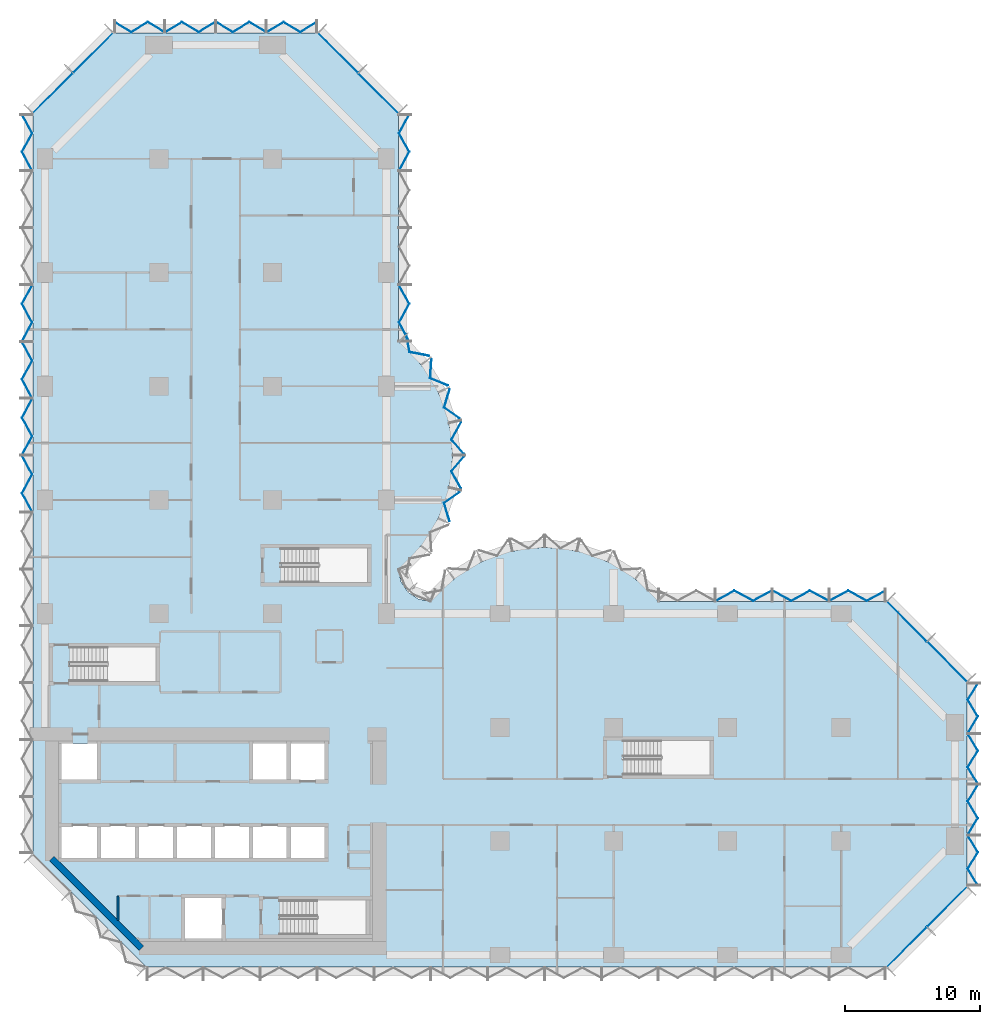
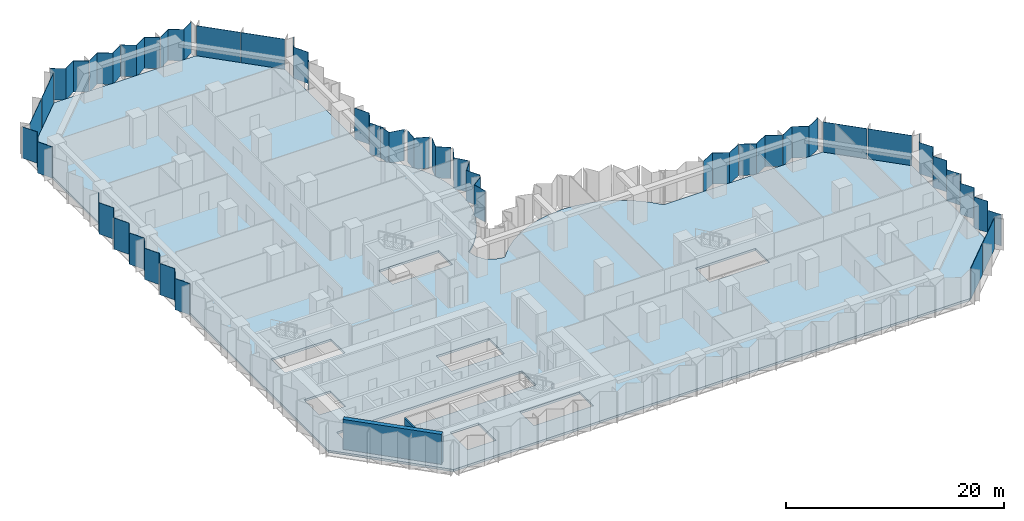
# One storey, part 6 of 15: 32 plates, 2 walls, 1 slab, 10 elements without a shape of their own.
"""IFC4 building model written with IfcOpenShell, lengths in metres."""

from ifc_helpers import new_model, si_unit, direction, frame, frame_2d, origin, place, context, subcontext, project, spatial, polyline, rectangle, outline, extrude, material, layer, layer_set, type_object, element, aggregate, save


model = new_model("IFC4")

# Units and contexts
model_context = context("Model", 3, precision=1e-05, world=origin(), true_north=direction((0.0, 1.0)))
body_context = subcontext(model_context, "Body", "Model", "MODEL_VIEW")
ifc_project = project(units=[si_unit("LENGTHUNIT", "METRE"), si_unit("AREAUNIT", "SQUARE_METRE"), si_unit("VOLUMEUNIT", "CUBIC_METRE"), si_unit("PLANEANGLEUNIT", "RADIAN"), si_unit("MASSUNIT", "GRAM", prefix="KILO")], contexts=[model_context])

# Site, building, storey
site_placement = place(None, origin())
site = spatial("IfcSite", under=ifc_project, at=site_placement, CompositionType="ELEMENT")
building_placement = place(site_placement, origin())
building = spatial("IfcBuilding", under=site, at=building_placement, Name="Brevane Broadcast Tower", CompositionType="ELEMENT")
storey_placement = place(building_placement, frame((0.0, 0.0, 50.89990234375)))
storey = spatial("IfcBuildingStorey", under=building, at=storey_placement, Name="L10", CompositionType="ELEMENT", Elevation=50.89990234375)

# Curtain wall, plates
ifc_material_1 = material(Name="Aluminium 6063-T6 bronze anodised", Category="aluminium")
curtain_wall_type = type_object("IfcCurtainWallType", Name="CW-1 curtain wall", PredefinedType="NOTDEFINED", material=ifc_material_1)
curtain_wall_1_placement = place(storey_placement, origin())
curtain_wall_1 = element("IfcCurtainWall", 1, at=curtain_wall_1_placement, inside=storey, type_object=curtain_wall_type, Name="CW-1 typical tilted unit L10 south-east chamfer", PredefinedType="NOTDEFINED")
ifc_material_2 = material(Name="Laminated glass bronze-tinted", Category="glass")
ifc_layer_1 = layer(ifc_material_2, 0.0400390625)
ifc_layer_set_1 = layer_set([ifc_layer_1], Name="CW tall glass panel 40")
plate_type = type_object("IfcPlateType", Name="CW tall glass panel 40", PredefinedType="CURTAIN_PANEL", material=ifc_layer_set_1)
plate_1_placement = place(storey_placement, frame((0.0, 0.0, -0.14990234375)))
plate_1 = element("IfcPlate", 2, at=plate_1_placement, type_object=plate_type, Name="CW-1 glass panel", PredefinedType="CURTAIN_PANEL", context=body_context, shape_type="SweptSolid", body=[
    extrude(outline(polyline([(62.14599609375, -0.896484375), (65.096435546875, 2.053955078125), (65.124755859375, 2.02587890625), (62.17431640625, -0.9248046875), (62.14599609375, -0.896484375)])), origin(), (0.0, 0.0, 1.0), 3.5),
])
plate_2_placement = place(storey_placement, frame((0.0, 0.0, -0.14990234375)))
plate_2 = element("IfcPlate", 3, at=plate_2_placement, type_object=plate_type, Name="CW-1 glass panel", PredefinedType="CURTAIN_PANEL", context=body_context, shape_type="SweptSolid", body=[
    extrude(outline(polyline([(65.14599609375, 2.103515625), (68.096435546875, 5.053955078125), (68.124755859375, 5.02587890625), (65.17431640625, 2.0751953125), (65.14599609375, 2.103515625)])), origin(), (0.0, 0.0, 1.0), 3.5),
])
aggregate(curtain_wall_1, [plate_1, plate_2])

curtain_wall_2_placement = place(storey_placement, origin())
curtain_wall_2 = element("IfcCurtainWall", 4, at=curtain_wall_2_placement, inside=storey, type_object=curtain_wall_type, Name="CW-1 typical tilted unit L10 east end", PredefinedType="NOTDEFINED")
plate_3_placement = place(storey_placement, frame((0.0, 0.0, -0.14990234375)))
plate_3 = element("IfcPlate", 5, at=plate_3_placement, type_object=plate_type, Name="CW-1 glass panel", PredefinedType="CURTAIN_PANEL", context=body_context, shape_type="SweptSolid", body=[
    extrude(outline(polyline([(68.87109375, 5.135009765625), (68.917724609375, 5.135009765625), (68.17333984375, 6.36181640625), (68.917724609375, 7.58837890625), (68.17333984375, 8.81494140625), (68.126708984375, 8.81494140625), (68.87109375, 7.58837890625), (68.126708984375, 6.36181640625), (68.87109375, 5.135009765625)])), origin(), (0.0, 0.0, 1.0), 3.5),
])
plate_4_placement = place(storey_placement, frame((0.0, 0.0, -0.14990234375)))
plate_4 = element("IfcPlate", 6, at=plate_4_placement, type_object=plate_type, Name="CW-1 glass panel", PredefinedType="CURTAIN_PANEL", context=body_context, shape_type="SweptSolid", body=[
    extrude(outline(polyline([(68.126708984375, 8.885009765625), (68.17333984375, 8.885009765625), (68.917724609375, 10.11181640625), (68.17333984375, 11.33837890625), (68.917724609375, 12.56494140625), (68.87109375, 12.56494140625), (68.126708984375, 11.33837890625), (68.87109375, 10.11181640625), (68.126708984375, 8.885009765625)])), origin(), (0.0, 0.0, 1.0), 3.5),
])
plate_5_placement = place(storey_placement, frame((0.0, 0.0, -0.14990234375)))
plate_5 = element("IfcPlate", 7, at=plate_5_placement, type_object=plate_type, Name="CW-1 glass panel", PredefinedType="CURTAIN_PANEL", context=body_context, shape_type="SweptSolid", body=[
    extrude(outline(polyline([(68.87109375, 12.635009765625), (68.917724609375, 12.635009765625), (68.17333984375, 13.86181640625), (68.917724609375, 15.08837890625), (68.17333984375, 16.31494140625), (68.126708984375, 16.31494140625), (68.87109375, 15.08837890625), (68.126708984375, 13.86181640625), (68.87109375, 12.635009765625)])), origin(), (0.0, 0.0, 1.0), 3.5),
])
plate_6_placement = place(storey_placement, frame((0.0, 0.0, -0.14990234375)))
plate_6 = element("IfcPlate", 8, at=plate_6_placement, type_object=plate_type, Name="CW-1 glass panel", PredefinedType="CURTAIN_PANEL", context=body_context, shape_type="SweptSolid", body=[
    extrude(outline(polyline([(68.126708984375, 16.385009765625), (68.17333984375, 16.385009765625), (68.917724609375, 17.61181640625), (68.17333984375, 18.83837890625), (68.917724609375, 20.06494140625), (68.87109375, 20.06494140625), (68.126708984375, 18.83837890625), (68.87109375, 17.61181640625), (68.126708984375, 16.385009765625)])), origin(), (0.0, 0.0, 1.0), 3.5),
])
aggregate(curtain_wall_2, [plate_3, plate_4, plate_5, plate_6])

curtain_wall_3_placement = place(storey_placement, origin())
curtain_wall_3 = element("IfcCurtainWall", 9, at=curtain_wall_3_placement, inside=storey, type_object=curtain_wall_type, Name="CW-1 typical tilted unit L10 north-east chamfer", PredefinedType="NOTDEFINED")
plate_7_placement = place(storey_placement, frame((0.0, 0.0, -0.14990234375)))
plate_7 = element("IfcPlate", 10, at=plate_7_placement, type_object=plate_type, Name="CW-1 glass panel", PredefinedType="CURTAIN_PANEL", context=body_context, shape_type="SweptSolid", body=[
    extrude(outline(polyline([(68.096435546875, 20.14599609375), (65.14599609375, 23.096435546875), (65.17431640625, 23.124755859375), (68.124755859375, 20.17431640625), (68.096435546875, 20.14599609375)])), origin(), (0.0, 0.0, 1.0), 3.5),
])
plate_8_placement = place(storey_placement, frame((0.0, 0.0, -0.14990234375)))
plate_8 = element("IfcPlate", 11, at=plate_8_placement, type_object=plate_type, Name="CW-1 glass panel", PredefinedType="CURTAIN_PANEL", context=body_context, shape_type="SweptSolid", body=[
    extrude(outline(polyline([(65.096435546875, 23.14599609375), (62.14599609375, 26.096435546875), (62.17431640625, 26.124755859375), (65.124755859375, 23.17431640625), (65.096435546875, 23.14599609375)])), origin(), (0.0, 0.0, 1.0), 3.5),
])
aggregate(curtain_wall_3, [plate_7, plate_8])

curtain_wall_4_placement = place(storey_placement, origin())
curtain_wall_4 = element("IfcCurtainWall", 12, at=curtain_wall_4_placement, inside=storey, type_object=curtain_wall_type, Name="CW-1 typical tilted unit L10 east arm north face", PredefinedType="NOTDEFINED")
plate_9_placement = place(storey_placement, frame((0.0, 0.0, -0.14990234375)))
plate_9 = element("IfcPlate", 13, at=plate_9_placement, type_object=plate_type, Name="CW-1 glass panel", PredefinedType="CURTAIN_PANEL", context=body_context, shape_type="SweptSolid", body=[
    extrude(outline(polyline([(62.06494140625, 26.87158203125), (62.06494140625, 26.9169921875), (60.688232421875, 26.172607421875), (59.311767578125, 26.9169921875), (57.93505859375, 26.172607421875), (57.93505859375, 26.127197265625), (59.311767578125, 26.87158203125), (60.688232421875, 26.127197265625), (62.06494140625, 26.87158203125)])), origin(), (0.0, 0.0, 1.0), 3.5),
])
plate_10_placement = place(storey_placement, frame((0.0, 0.0, -0.14990234375)))
plate_10 = element("IfcPlate", 14, at=plate_10_placement, type_object=plate_type, Name="CW-1 glass panel", PredefinedType="CURTAIN_PANEL", context=body_context, shape_type="SweptSolid", body=[
    extrude(outline(polyline([(57.864990234375, 26.127197265625), (57.864990234375, 26.172607421875), (56.48828125, 26.9169921875), (55.11181640625, 26.172607421875), (53.735107421875, 26.9169921875), (53.735107421875, 26.87158203125), (55.11181640625, 26.127197265625), (56.48828125, 26.87158203125), (57.864990234375, 26.127197265625)])), origin(), (0.0, 0.0, 1.0), 3.5),
])
plate_11_placement = place(storey_placement, frame((0.0, 0.0, -0.14990234375)))
plate_11 = element("IfcPlate", 15, at=plate_11_placement, type_object=plate_type, Name="CW-1 glass panel", PredefinedType="CURTAIN_PANEL", context=body_context, shape_type="SweptSolid", body=[
    extrude(outline(polyline([(53.6650390625, 26.87158203125), (53.6650390625, 26.9169921875), (52.288330078125, 26.172607421875), (50.91162109375, 26.9169921875), (49.534912109375, 26.172607421875), (49.534912109375, 26.127197265625), (50.91162109375, 26.87158203125), (52.288330078125, 26.127197265625), (53.6650390625, 26.87158203125)])), origin(), (0.0, 0.0, 1.0), 3.5),
])
aggregate(curtain_wall_4, [plate_9, plate_10, plate_11])

curtain_wall_5_placement = place(storey_placement, origin())
curtain_wall_5 = element("IfcCurtainWall", 16, at=curtain_wall_5_placement, inside=storey, type_object=curtain_wall_type, Name="CW-1 typical tilted unit L10 north bow", PredefinedType="NOTDEFINED")
plate_12_placement = place(storey_placement, frame((0.0, 0.0, -0.14990234375)))
plate_12 = element("IfcPlate", 17, at=plate_12_placement, type_object=plate_type, Name="CW-1 glass panel", PredefinedType="CURTAIN_PANEL", context=body_context, shape_type="SweptSolid", body=[
    extrude(outline(polyline([(29.851806640625, 32.044677734375), (29.900634765625, 32.021484375), (29.494384765625, 33.364501953125), (30.622802734375, 34.167236328125), (30.57080078125, 34.17919921875), (29.44775390625, 33.380615234375), (29.851806640625, 32.044677734375)])), origin(), (0.0, 0.0, 1.0), 3.5),
])
plate_13_placement = place(storey_placement, frame((0.0, 0.0, -0.14990234375)))
plate_13 = element("IfcPlate", 18, at=plate_13_placement, type_object=plate_type, Name="CW-1 glass panel", PredefinedType="CURTAIN_PANEL", context=body_context, shape_type="SweptSolid", body=[
    extrude(outline(polyline([(30.68798828125, 34.483642578125), (30.740478515625, 34.4716796875), (30.036376953125, 35.730224609375), (30.94921875, 36.7919921875), (30.896484375, 36.7919921875), (29.98779296875, 35.735107421875), (30.68798828125, 34.483642578125)])), origin(), (0.0, 0.0, 1.0), 3.5),
])
plate_14_placement = place(storey_placement, frame((0.0, 0.0, -0.14990234375)))
plate_14 = element("IfcPlate", 19, at=plate_14_placement, type_object=plate_type, Name="CW-1 glass panel", PredefinedType="CURTAIN_PANEL", context=body_context, shape_type="SweptSolid", body=[
    extrude(outline(polyline([(30.896484375, 37.008056640625), (30.94921875, 37.008056640625), (30.036376953125, 38.069580078125), (30.740478515625, 39.328369140625), (30.68798828125, 39.31640625), (29.98779296875, 38.064697265625), (30.896484375, 37.008056640625)])), origin(), (0.0, 0.0, 1.0), 3.5),
])
plate_15_placement = place(storey_placement, frame((0.0, 0.0, -0.14990234375)))
plate_15 = element("IfcPlate", 20, at=plate_15_placement, type_object=plate_type, Name="CW-1 glass panel", PredefinedType="CURTAIN_PANEL", context=body_context, shape_type="SweptSolid", body=[
    extrude(outline(polyline([(30.57080078125, 39.62060546875), (30.622802734375, 39.6328125), (29.494384765625, 40.435546875), (29.900634765625, 41.778564453125), (29.851806640625, 41.75537109375), (29.44775390625, 40.41943359375), (30.57080078125, 39.62060546875)])), origin(), (0.0, 0.0, 1.0), 3.5),
])
plate_16_placement = place(storey_placement, frame((0.0, 0.0, -0.14990234375)))
plate_16 = element("IfcPlate", 21, at=plate_16_placement, type_object=plate_type, Name="CW-1 glass panel", PredefinedType="CURTAIN_PANEL", context=body_context, shape_type="SweptSolid", body=[
    extrude(outline(polyline([(29.712890625, 42.046875), (29.76171875, 42.0703125), (28.462890625, 42.601318359375), (28.551025390625, 43.9833984375), (28.5087890625, 43.950439453125), (28.42138671875, 42.5751953125), (29.712890625, 42.046875)])), origin(), (0.0, 0.0, 1.0), 3.5),
])
plate_17_placement = place(storey_placement, frame((0.0, 0.0, -0.14990234375)))
plate_17 = element("IfcPlate", 22, at=plate_17_placement, type_object=plate_type, Name="CW-1 glass panel", PredefinedType="CURTAIN_PANEL", context=body_context, shape_type="SweptSolid", body=[
    extrude(outline(polyline([(28.34375, 44.231201171875), (28.3857421875, 44.263916015625), (26.9423828125, 44.539306640625), (26.690185546875, 45.82470703125), (26.656005859375, 45.79150390625), (26.908203125, 44.5048828125), (28.34375, 44.231201171875)])), origin(), (0.0, 0.0, 1.0), 3.5),
])
aggregate(curtain_wall_5, [plate_12, plate_13, plate_14, plate_15, plate_16, plate_17])

curtain_wall_6_placement = place(storey_placement, origin())
curtain_wall_6 = element("IfcCurtainWall", 23, at=curtain_wall_6_placement, inside=storey, type_object=curtain_wall_type, Name="CW-1 typical tilted unit L10 north arm east face", PredefinedType="NOTDEFINED")
plate_18_placement = place(storey_placement, frame((0.0, 0.0, -0.14990234375)))
plate_18 = element("IfcPlate", 24, at=plate_18_placement, type_object=plate_type, Name="CW-1 glass panel", PredefinedType="CURTAIN_PANEL", context=body_context, shape_type="SweptSolid", body=[
    extrude(outline(polyline([(26.87158203125, 45.3349609375), (26.9169921875, 45.3349609375), (26.172607421875, 46.711669921875), (26.9169921875, 48.08837890625), (26.172607421875, 49.465087890625), (26.127197265625, 49.465087890625), (26.87158203125, 48.08837890625), (26.127197265625, 46.711669921875), (26.87158203125, 45.3349609375)])), origin(), (0.0, 0.0, 1.0), 3.5),
])
plate_19_placement = place(storey_placement, frame((0.0, 0.0, -0.14990234375)))
plate_19 = element("IfcPlate", 25, at=plate_19_placement, type_object=plate_type, Name="CW-1 glass panel", PredefinedType="CURTAIN_PANEL", context=body_context, shape_type="SweptSolid", body=[
    extrude(outline(polyline([(26.127197265625, 57.93505859375), (26.172607421875, 57.93505859375), (26.9169921875, 59.311767578125), (26.172607421875, 60.688232421875), (26.9169921875, 62.06494140625), (26.87158203125, 62.06494140625), (26.127197265625, 60.688232421875), (26.87158203125, 59.311767578125), (26.127197265625, 57.93505859375)])), origin(), (0.0, 0.0, 1.0), 3.5),
])
aggregate(curtain_wall_6, [plate_18, plate_19])

curtain_wall_7_placement = place(storey_placement, origin())
curtain_wall_7 = element("IfcCurtainWall", 26, at=curtain_wall_7_placement, inside=storey, type_object=curtain_wall_type, Name="CW-1 typical tilted unit L10 north arm north-east chamfer", PredefinedType="NOTDEFINED")
plate_20_placement = place(storey_placement, frame((0.0, 0.0, -0.14990234375)))
plate_20 = element("IfcPlate", 27, at=plate_20_placement, type_object=plate_type, Name="CW-1 glass panel", PredefinedType="CURTAIN_PANEL", context=body_context, shape_type="SweptSolid", body=[
    extrude(outline(polyline([(26.096435546875, 62.14599609375), (23.14599609375, 65.096435546875), (23.17431640625, 65.124755859375), (26.124755859375, 62.17431640625), (26.096435546875, 62.14599609375)])), origin(), (0.0, 0.0, 1.0), 3.5),
])
plate_21_placement = place(storey_placement, frame((0.0, 0.0, -0.14990234375)))
plate_21 = element("IfcPlate", 28, at=plate_21_placement, type_object=plate_type, Name="CW-1 glass panel", PredefinedType="CURTAIN_PANEL", context=body_context, shape_type="SweptSolid", body=[
    extrude(outline(polyline([(23.096435546875, 65.14599609375), (20.14599609375, 68.096435546875), (20.17431640625, 68.124755859375), (23.124755859375, 65.17431640625), (23.096435546875, 65.14599609375)])), origin(), (0.0, 0.0, 1.0), 3.5),
])
aggregate(curtain_wall_7, [plate_20, plate_21])

curtain_wall_8_placement = place(storey_placement, origin())
curtain_wall_8 = element("IfcCurtainWall", 29, at=curtain_wall_8_placement, inside=storey, type_object=curtain_wall_type, Name="CW-1 typical tilted unit L10 north end", PredefinedType="NOTDEFINED")
plate_22_placement = place(storey_placement, frame((0.0, 0.0, -0.14990234375)))
plate_22 = element("IfcPlate", 30, at=plate_22_placement, type_object=plate_type, Name="CW-1 glass panel", PredefinedType="CURTAIN_PANEL", context=body_context, shape_type="SweptSolid", body=[
    extrude(outline(polyline([(20.06494140625, 68.87109375), (20.06494140625, 68.917724609375), (18.83837890625, 68.17333984375), (17.61181640625, 68.917724609375), (16.385009765625, 68.17333984375), (16.385009765625, 68.126708984375), (17.61181640625, 68.87109375), (18.83837890625, 68.126708984375), (20.06494140625, 68.87109375)])), origin(), (0.0, 0.0, 1.0), 3.5),
])
plate_23_placement = place(storey_placement, frame((0.0, 0.0, -0.14990234375)))
plate_23 = element("IfcPlate", 31, at=plate_23_placement, type_object=plate_type, Name="CW-1 glass panel", PredefinedType="CURTAIN_PANEL", context=body_context, shape_type="SweptSolid", body=[
    extrude(outline(polyline([(16.31494140625, 68.126708984375), (16.31494140625, 68.17333984375), (15.08837890625, 68.917724609375), (13.86181640625, 68.17333984375), (12.635009765625, 68.917724609375), (12.635009765625, 68.87109375), (13.86181640625, 68.126708984375), (15.08837890625, 68.87109375), (16.31494140625, 68.126708984375)])), origin(), (0.0, 0.0, 1.0), 3.5),
])
plate_24_placement = place(storey_placement, frame((0.0, 0.0, -0.14990234375)))
plate_24 = element("IfcPlate", 32, at=plate_24_placement, type_object=plate_type, Name="CW-1 glass panel", PredefinedType="CURTAIN_PANEL", context=body_context, shape_type="SweptSolid", body=[
    extrude(outline(polyline([(12.56494140625, 68.87109375), (12.56494140625, 68.917724609375), (11.33837890625, 68.17333984375), (10.11181640625, 68.917724609375), (8.885009765625, 68.17333984375), (8.885009765625, 68.126708984375), (10.11181640625, 68.87109375), (11.33837890625, 68.126708984375), (12.56494140625, 68.87109375)])), origin(), (0.0, 0.0, 1.0), 3.5),
])
plate_25_placement = place(storey_placement, frame((0.0, 0.0, -0.14990234375)))
plate_25 = element("IfcPlate", 33, at=plate_25_placement, type_object=plate_type, Name="CW-1 glass panel", PredefinedType="CURTAIN_PANEL", context=body_context, shape_type="SweptSolid", body=[
    extrude(outline(polyline([(8.81494140625, 68.126708984375), (8.81494140625, 68.17333984375), (7.58837890625, 68.917724609375), (6.36181640625, 68.17333984375), (5.135009765625, 68.917724609375), (5.135009765625, 68.87109375), (6.36181640625, 68.126708984375), (7.58837890625, 68.87109375), (8.81494140625, 68.126708984375)])), origin(), (0.0, 0.0, 1.0), 3.5),
])
aggregate(curtain_wall_8, [plate_22, plate_23, plate_24, plate_25])

curtain_wall_9_placement = place(storey_placement, origin())
curtain_wall_9 = element("IfcCurtainWall", 34, at=curtain_wall_9_placement, inside=storey, type_object=curtain_wall_type, Name="CW-1 typical tilted unit L10 north-west chamfer", PredefinedType="NOTDEFINED")
plate_26_placement = place(storey_placement, frame((0.0, 0.0, -0.14990234375)))
plate_26 = element("IfcPlate", 35, at=plate_26_placement, type_object=plate_type, Name="CW-1 glass panel", PredefinedType="CURTAIN_PANEL", context=body_context, shape_type="SweptSolid", body=[
    extrude(outline(polyline([(5.053955078125, 68.096435546875), (2.103515625, 65.14599609375), (2.0751953125, 65.17431640625), (5.02587890625, 68.124755859375), (5.053955078125, 68.096435546875)])), origin(), (0.0, 0.0, 1.0), 3.5),
])
plate_27_placement = place(storey_placement, frame((0.0, 0.0, -0.14990234375)))
plate_27 = element("IfcPlate", 36, at=plate_27_placement, type_object=plate_type, Name="CW-1 glass panel", PredefinedType="CURTAIN_PANEL", context=body_context, shape_type="SweptSolid", body=[
    extrude(outline(polyline([(2.053955078125, 65.096435546875), (-0.896484375, 62.14599609375), (-0.9248046875, 62.17431640625), (2.02587890625, 65.124755859375), (2.053955078125, 65.096435546875)])), origin(), (0.0, 0.0, 1.0), 3.5),
])
aggregate(curtain_wall_9, [plate_26, plate_27])

curtain_wall_10_placement = place(storey_placement, origin())
curtain_wall_10 = element("IfcCurtainWall", 37, at=curtain_wall_10_placement, inside=storey, type_object=curtain_wall_type, Name="CW-1 typical tilted unit L10 west face", PredefinedType="NOTDEFINED")
plate_28_placement = place(storey_placement, frame((0.0, 0.0, -0.14990234375)))
plate_28 = element("IfcPlate", 38, at=plate_28_placement, type_object=plate_type, Name="CW-1 glass panel", PredefinedType="CURTAIN_PANEL", context=body_context, shape_type="SweptSolid", body=[
    extrude(outline(polyline([(-1.671630859375, 62.06494140625), (-1.717041015625, 62.06494140625), (-0.97265625, 60.688232421875), (-1.717041015625, 59.311767578125), (-0.97265625, 57.93505859375), (-0.92724609375, 57.93505859375), (-1.671630859375, 59.311767578125), (-0.92724609375, 60.688232421875), (-1.671630859375, 62.06494140625)])), origin(), (0.0, 0.0, 1.0), 3.5),
])
plate_29_placement = place(storey_placement, frame((0.0, 0.0, -0.14990234375)))
plate_29 = element("IfcPlate", 39, at=plate_29_placement, type_object=plate_type, Name="CW-1 glass panel", PredefinedType="CURTAIN_PANEL", context=body_context, shape_type="SweptSolid", body=[
    extrude(outline(polyline([(-0.92724609375, 49.465087890625), (-0.97265625, 49.465087890625), (-1.717041015625, 48.08837890625), (-0.97265625, 46.711669921875), (-1.717041015625, 45.3349609375), (-1.671630859375, 45.3349609375), (-0.92724609375, 46.711669921875), (-1.671630859375, 48.08837890625), (-0.92724609375, 49.465087890625)])), origin(), (0.0, 0.0, 1.0), 3.5),
])
plate_30_placement = place(storey_placement, frame((0.0, 0.0, -0.14990234375)))
plate_30 = element("IfcPlate", 40, at=plate_30_placement, type_object=plate_type, Name="CW-1 glass panel", PredefinedType="CURTAIN_PANEL", context=body_context, shape_type="SweptSolid", body=[
    extrude(outline(polyline([(-1.671630859375, 45.264892578125), (-1.717041015625, 45.264892578125), (-0.97265625, 43.88818359375), (-1.717041015625, 42.51171875), (-0.97265625, 41.135009765625), (-0.92724609375, 41.135009765625), (-1.671630859375, 42.51171875), (-0.92724609375, 43.88818359375), (-1.671630859375, 45.264892578125)])), origin(), (0.0, 0.0, 1.0), 3.5),
])
plate_31_placement = place(storey_placement, frame((0.0, 0.0, -0.14990234375)))
plate_31 = element("IfcPlate", 41, at=plate_31_placement, type_object=plate_type, Name="CW-1 glass panel", PredefinedType="CURTAIN_PANEL", context=body_context, shape_type="SweptSolid", body=[
    extrude(outline(polyline([(-0.92724609375, 41.06494140625), (-0.97265625, 41.06494140625), (-1.717041015625, 39.688232421875), (-0.97265625, 38.311767578125), (-1.717041015625, 36.93505859375), (-1.671630859375, 36.93505859375), (-0.92724609375, 38.311767578125), (-1.671630859375, 39.688232421875), (-0.92724609375, 41.06494140625)])), origin(), (0.0, 0.0, 1.0), 3.5),
])
plate_32_placement = place(storey_placement, frame((0.0, 0.0, -0.14990234375)))
plate_32 = element("IfcPlate", 42, at=plate_32_placement, type_object=plate_type, Name="CW-1 glass panel", PredefinedType="CURTAIN_PANEL", context=body_context, shape_type="SweptSolid", body=[
    extrude(outline(polyline([(-1.671630859375, 36.864990234375), (-1.717041015625, 36.864990234375), (-0.97265625, 35.48828125), (-1.717041015625, 34.11181640625), (-0.97265625, 32.735107421875), (-0.92724609375, 32.735107421875), (-1.671630859375, 34.11181640625), (-0.92724609375, 35.48828125), (-1.671630859375, 36.864990234375)])), origin(), (0.0, 0.0, 1.0), 3.5),
])
aggregate(curtain_wall_10, [plate_28, plate_29, plate_30, plate_31, plate_32])

# Slab
ifc_material_3 = material(Name="Concrete C40/50", Category="concrete")
ifc_layer_2 = layer(ifc_material_3, 0.25)
ifc_layer_set_2 = layer_set([ifc_layer_2], Name="RC FLOOR SLAB 250 C40/50")
slab_type = type_object("IfcSlabType", Name="RC FLOOR SLAB 250 C40/50", PredefinedType="FLOOR", material=ifc_layer_set_2)
slab_placement = place(storey_placement, frame((0.0, 0.0, -0.25)))
element("IfcSlab", 43, at=slab_placement, inside=storey, type_object=slab_type, Name="SL250 L10", PredefinedType="FLOOR", context=body_context, shape_type="SweptSolid", body=[
    extrude(outline(polyline([(-0.89990234375, 7.5), (-0.89990234375, 62.10009765625), (5.10009765625, 68.10009765625), (20.10009765625, 68.10009765625), (26.10009765625, 62.10009765625), (26.10009765625, 45.300048828125), (27.10888671875, 44.36865234375), (27.99169921875, 43.317138671875), (28.734130859375, 42.162353515625), (29.324462890625, 40.922607421875), (29.7529296875, 39.618408203125), (30.012939453125, 38.270263671875), (30.10009765625, 36.89990234375), (30.012939453125, 35.52978515625), (29.7529296875, 34.181640625), (29.324462890625, 32.877197265625), (28.734130859375, 31.6376953125), (27.99169921875, 30.48291015625), (27.10888671875, 29.431396484375), (26.10009765625, 28.5), (26.28271484375, 27.58154296875), (26.802978515625, 26.802978515625), (27.58154296875, 26.28271484375), (28.5, 26.10009765625), (29.431396484375, 27.10888671875), (30.48291015625, 27.99169921875), (31.6376953125, 28.734130859375), (32.877197265625, 29.324462890625), (34.181640625, 29.7529296875), (35.52978515625, 30.012939453125), (36.89990234375, 30.10009765625), (38.270263671875, 30.012939453125), (39.618408203125, 29.7529296875), (40.922607421875, 29.324462890625), (42.162353515625, 28.734130859375), (43.317138671875, 27.99169921875), (44.36865234375, 27.10888671875), (45.300048828125, 26.10009765625), (62.10009765625, 26.10009765625), (68.10009765625, 20.10009765625), (68.10009765625, 5.10009765625), (62.10009765625, -0.89990234375), (7.5, -0.89990234375), (-0.89990234375, 7.5)]), holes=[polyline([(13.199951171875, 4.39990234375), (10.199951171875, 4.39990234375), (10.199951171875, 1.199951171875), (13.199951171875, 1.199951171875), (13.199951171875, 4.39990234375)]), polyline([(4.0, 9.60009765625), (1.199951171875, 9.60009765625), (1.199951171875, 7.0), (4.0, 7.0), (6.800048828125, 7.0), (9.60009765625, 7.0), (12.39990234375, 7.0), (15.199951171875, 7.0), (18.0, 7.0), (20.800048828125, 7.0), (20.800048828125, 9.60009765625), (18.0, 9.60009765625), (15.199951171875, 9.60009765625), (12.39990234375, 9.60009765625), (9.60009765625, 9.60009765625), (6.800048828125, 9.60009765625), (4.0, 9.60009765625)]), polyline([(4.0, 12.800048828125), (4.0, 15.60009765625), (1.199951171875, 15.60009765625), (1.199951171875, 12.800048828125), (4.0, 12.800048828125)]), polyline([(8.199951171875, 22.75), (1.860107421875, 22.75), (1.860107421875, 20.199951171875), (8.199951171875, 20.199951171875), (8.199951171875, 22.75)]), polyline([(23.699951171875, 4.050048828125), (17.360107421875, 4.050048828125), (17.360107421875, 1.5), (23.699951171875, 1.5), (23.699951171875, 4.050048828125)]), polyline([(18.0, 15.60009765625), (15.199951171875, 15.60009765625), (15.199951171875, 12.800048828125), (18.0, 12.800048828125), (20.800048828125, 12.800048828125), (20.800048828125, 15.60009765625), (18.0, 15.60009765625)]), polyline([(49.10009765625, 15.85009765625), (42.760009765625, 15.85009765625), (42.760009765625, 13.300048828125), (49.10009765625, 13.300048828125), (49.10009765625, 15.85009765625)]), polyline([(23.800048828125, 30.050048828125), (17.4599609375, 30.050048828125), (17.4599609375, 27.5), (23.800048828125, 27.5), (23.800048828125, 30.050048828125)])]), origin(), (0.0, 0.0, 1.0), 0.25),
])

# Walls
ifc_material_4 = material(Name="Gypsum board on steel studs", Category="steel")
ifc_layer_3 = layer(ifc_material_4, 0.14990234375)
ifc_layer_set_3 = layer_set([ifc_layer_3], Name="Core fire partition 150 mm")
wall_type_1 = type_object("IfcWallType", Name="Core fire partition 150 mm", PredefinedType="PARTITIONING", material=ifc_layer_set_3)
wall_1_placement = place(storey_placement, frame((5.39990234375, 2.553466796875, 0.0), z_axis=(0.0, 0.0, 1.0), x_axis=(0.0, 1.0, 0.0)))
element("IfcWall", 44, at=wall_1_placement, inside=storey, type_object=wall_type_1, Name="L10 partition wall P10", PredefinedType="PARTITIONING", context=body_context, shape_type="SweptSolid", body=[
    extrude(rectangle(XDim=1.796630859375, YDim=0.14990234375, at=frame_2d((0.8984375, 0.0))), origin(), (0.0, 0.0, 1.0), 3.35009765625),
])
ifc_material_5 = material(Name="Concrete C80/95", Category="concrete")
ifc_layer_4 = layer(ifc_material_5, 0.449951171875)
ifc_layer_set_4 = layer_set([ifc_layer_4], Name="Core wall 450 mm C80/95")
wall_type_2 = type_object("IfcWallType", Name="Core wall 450 mm C80/95", PredefinedType="SHEAR", material=ifc_layer_set_4)
wall_2_placement = place(storey_placement, frame((0.5, 7.1181640625, 0.0), z_axis=(0.0, 0.0, 1.0), x_axis=(0.707106781187, -0.707106781187, 0.0)))
element("IfcWall", 45, at=wall_2_placement, inside=storey, type_object=wall_type_2, Name="L10 outer wall WC", PredefinedType="SHEAR", context=body_context, shape_type="SweptSolid", body=[
    extrude(rectangle(XDim=9.359619140625, YDim=0.449951171875, at=frame_2d((4.6796875, 0.0))), origin(), (0.0, 0.0, 1.0), 3.35009765625),
])

save(model, "model.ifc")
